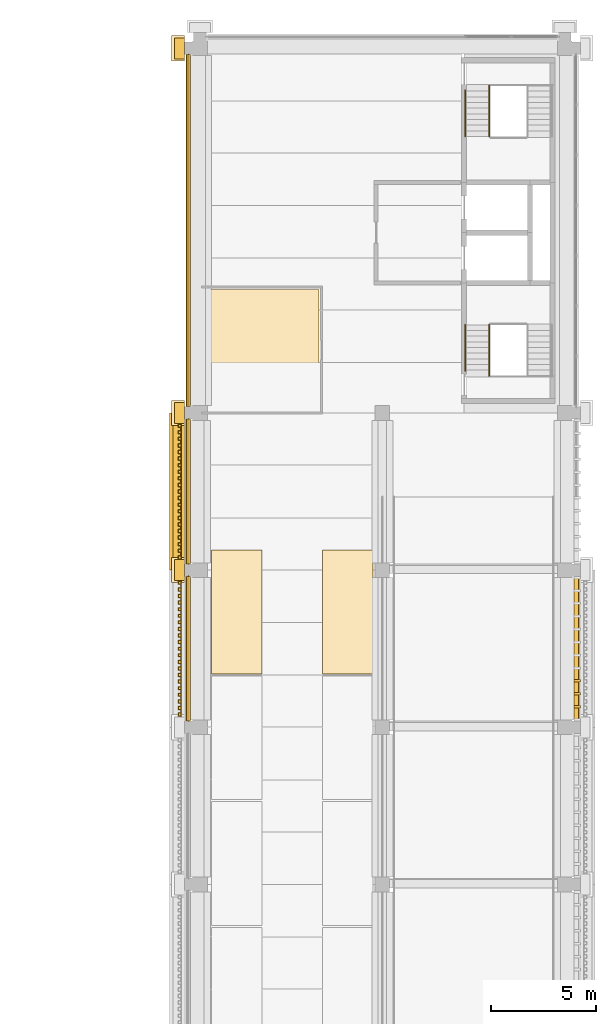
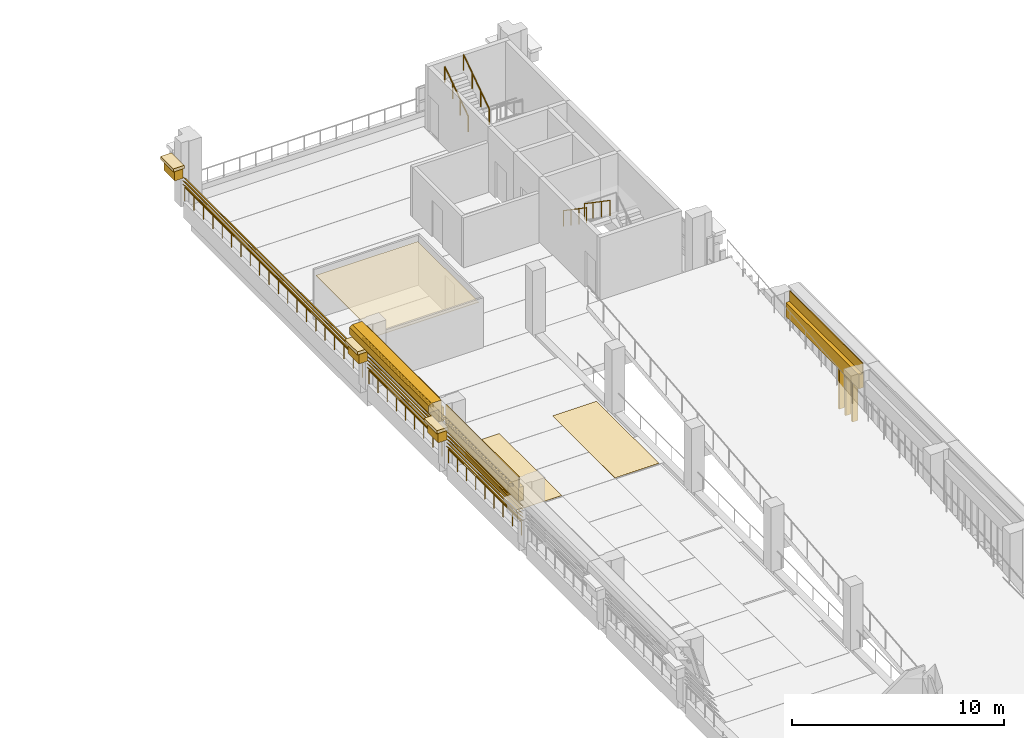
# One storey, part 22 of 25: 18 coverings, 13 shading devices, 7 railings.
"""IFC4 building model written with IfcOpenShell, lengths in metres."""

from ifc_helpers import new_model, si_unit, direction, frame, origin, origin_2d, place, context, subcontext, project, spatial, polyline, circle, outline, extrude, material, layer, layer_set, type_object, element, save


model = new_model("IFC4")

# Units and contexts
model_context = context("Model", 3, precision=1e-05, world=origin(), true_north=direction((0.0, 1.0)))
body_context = subcontext(model_context, "Body", "Model", "MODEL_VIEW")
ifc_project = project(units=[si_unit("LENGTHUNIT", "METRE"), si_unit("AREAUNIT", "SQUARE_METRE"), si_unit("VOLUMEUNIT", "CUBIC_METRE"), si_unit("PLANEANGLEUNIT", "RADIAN"), si_unit("MASSUNIT", "GRAM", prefix="KILO")], contexts=[model_context])

# Site, building, storey
site_placement = place(None, origin())
site = spatial("IfcSite", under=ifc_project, at=site_placement, CompositionType="ELEMENT")
building_placement = place(site_placement, origin())
building = spatial("IfcBuilding", under=site, at=building_placement, Name="Cour d'Honneur Mobility Palace", CompositionType="ELEMENT")
storey_placement = place(building_placement, frame((0.0, 0.0, 30.39990234375)))
storey = spatial("IfcBuildingStorey", under=building, at=storey_placement, Name="L08", CompositionType="ELEMENT", Elevation=30.39990234375)

# Railings
ifc_material_1 = material(Name="Painted steel", Category="steel")
railing_type_1 = type_object("IfcRailingType", Name="Balustrade", PredefinedType="BALUSTRADE", material=ifc_material_1)
railing_1_placement = place(storey_placement, frame((144.35009765625, 62.10009765625, 0.300048828125)))
element("IfcRailing", 1, at=railing_1_placement, inside=storey, type_object=railing_type_1, Name="Balustrade BAL-405", PredefinedType="BALUSTRADE", context=body_context, shape_type="SweptSolid", body=[
    extrude(circle(Radius=0.02392578125, at=origin_2d()), frame((0.0, 0.0, 0.77587890625), z_axis=(0.0, -1.0, 0.0), x_axis=(1.0, 0.0, 0.0)), (0.0, 0.0, 1.0), 16.800048828125),
    extrude(circle(Radius=0.02099609375, at=origin_2d()), origin(), (0.0, 0.0, 1.0), 0.751953125),
    extrude(circle(Radius=0.02099609375, at=origin_2d()), frame((0.0, -0.88427734375, 0.0)), (0.0, 0.0, 1.0), 0.751953125),
    extrude(circle(Radius=0.02099609375, at=origin_2d()), frame((0.0, -1.768310546875, 0.0)), (0.0, 0.0, 1.0), 0.751953125),
    extrude(circle(Radius=0.02099609375, at=origin_2d()), frame((0.0, -2.652587890625, 0.0)), (0.0, 0.0, 1.0), 0.751953125),
    extrude(circle(Radius=0.02099609375, at=origin_2d()), frame((0.0, -3.536865234375, 0.0)), (0.0, 0.0, 1.0), 0.751953125),
    extrude(circle(Radius=0.02099609375, at=origin_2d()), frame((0.0, -4.421142578125, 0.0)), (0.0, 0.0, 1.0), 0.751953125),
    extrude(circle(Radius=0.02099609375, at=origin_2d()), frame((0.0, -5.30517578125, 0.0)), (0.0, 0.0, 1.0), 0.751953125),
    extrude(circle(Radius=0.02099609375, at=origin_2d()), frame((0.0, -6.189453125, 0.0)), (0.0, 0.0, 1.0), 0.751953125),
    extrude(circle(Radius=0.02099609375, at=origin_2d()), frame((0.0, -7.07373046875, 0.0)), (0.0, 0.0, 1.0), 0.751953125),
    extrude(circle(Radius=0.02099609375, at=origin_2d()), frame((0.0, -7.9580078125, 0.0)), (0.0, 0.0, 1.0), 0.751953125),
    extrude(circle(Radius=0.02099609375, at=origin_2d()), frame((0.0, -8.842041015625, 0.0)), (0.0, 0.0, 1.0), 0.751953125),
    extrude(circle(Radius=0.02099609375, at=origin_2d()), frame((0.0, -9.726318359375, 0.0)), (0.0, 0.0, 1.0), 0.751953125),
    extrude(circle(Radius=0.02099609375, at=origin_2d()), frame((0.0, -10.610595703125, 0.0)), (0.0, 0.0, 1.0), 0.751953125),
    extrude(circle(Radius=0.02099609375, at=origin_2d()), frame((0.0, -11.494873046875, 0.0)), (0.0, 0.0, 1.0), 0.751953125),
    extrude(circle(Radius=0.02099609375, at=origin_2d()), frame((0.0, -12.37890625, 0.0)), (0.0, 0.0, 1.0), 0.751953125),
    extrude(circle(Radius=0.02099609375, at=origin_2d()), frame((0.0, -13.26318359375, 0.0)), (0.0, 0.0, 1.0), 0.751953125),
    extrude(circle(Radius=0.02099609375, at=origin_2d()), frame((0.0, -14.1474609375, 0.0)), (0.0, 0.0, 1.0), 0.751953125),
    extrude(circle(Radius=0.02099609375, at=origin_2d()), frame((0.0, -15.03173828125, 0.0)), (0.0, 0.0, 1.0), 0.751953125),
    extrude(circle(Radius=0.02099609375, at=origin_2d()), frame((0.0, -15.915771484375, 0.0)), (0.0, 0.0, 1.0), 0.751953125),
    extrude(circle(Radius=0.02099609375, at=origin_2d()), frame((0.0, -16.800048828125, 0.0)), (0.0, 0.0, 1.0), 0.751953125),
])
for number, where, name in (
    (2, (144.35009765625, 44.699951171875, 0.300048828125), "Balustrade BAL-406"),
    (3, (144.35009765625, 37.199951171875, 0.300048828125), "Balustrade BAL-407"),
):
    element("IfcRailing", number, at=place(storey_placement, frame(where)), inside=storey, type_object=railing_type_1, Name=name, PredefinedType="BALUSTRADE", context=body_context, shape_type="SweptSolid", body=[
        extrude(circle(Radius=0.02392578125, at=origin_2d()), frame((0.0, 0.0, 0.77587890625), z_axis=(0.0, -1.0, 0.0), x_axis=(1.0, 0.0, 0.0)), (0.0, 0.0, 1.0), 6.89990234375),
        extrude(circle(Radius=0.02099609375, at=origin_2d()), origin(), (0.0, 0.0, 1.0), 0.751953125),
        extrude(circle(Radius=0.02099609375, at=origin_2d()), frame((0.0, -0.862548828125, 0.0)), (0.0, 0.0, 1.0), 0.751953125),
        extrude(circle(Radius=0.02099609375, at=origin_2d()), frame((0.0, -1.72509765625, 0.0)), (0.0, 0.0, 1.0), 0.751953125),
        extrude(circle(Radius=0.02099609375, at=origin_2d()), frame((0.0, -2.58740234375, 0.0)), (0.0, 0.0, 1.0), 0.751953125),
        extrude(circle(Radius=0.02099609375, at=origin_2d()), frame((0.0, -3.449951171875, 0.0)), (0.0, 0.0, 1.0), 0.751953125),
        extrude(circle(Radius=0.02099609375, at=origin_2d()), frame((0.0, -4.3125, 0.0)), (0.0, 0.0, 1.0), 0.751953125),
        extrude(circle(Radius=0.02099609375, at=origin_2d()), frame((0.0, -5.1748046875, 0.0)), (0.0, 0.0, 1.0), 0.751953125),
        extrude(circle(Radius=0.02099609375, at=origin_2d()), frame((0.0, -6.037353515625, 0.0)), (0.0, 0.0, 1.0), 0.751953125),
        extrude(circle(Radius=0.02099609375, at=origin_2d()), frame((0.0, -6.89990234375, 0.0)), (0.0, 0.0, 1.0), 0.751953125),
    ])

# Coverings
ifc_material_2 = material(Name="Cast limestone", Category="masonry")
ifc_layer_1 = layer(ifc_material_2, 0.14990234375)
ifc_layer_set_1 = layer_set([ifc_layer_1], Name="Cast limestone")
covering_type_1 = type_object("IfcCoveringType", Name="Dentil course", PredefinedType="CLADDING", material=ifc_layer_set_1)
covering_1_placement = place(storey_placement, frame((0.0, 0.0, 3.150146484375)))
element("IfcCovering", 4, at=covering_1_placement, inside=storey, type_object=covering_type_1, Name="Dentil course DC-138", PredefinedType="CLADDING", context=body_context, shape_type="SweptSolid", body=[
    extrude(outline(polyline([(144.0, 44.550048828125), (144.0, 37.949951171875), (143.969970703125, 37.949951171875), (143.969970703125, 37.949951171875), (143.969970703125, 38.028564453125), (143.85009765625, 38.028564453125), (143.85009765625, 38.185791015625), (143.969970703125, 38.185791015625), (143.969970703125, 38.264404296875), (143.969970703125, 38.264404296875), (143.969970703125, 38.3427734375), (143.85009765625, 38.3427734375), (143.85009765625, 38.5), (143.969970703125, 38.5), (143.969970703125, 38.57861328125), (143.969970703125, 38.57861328125), (143.969970703125, 38.6572265625), (143.85009765625, 38.6572265625), (143.85009765625, 38.814208984375), (143.969970703125, 38.814208984375), (143.969970703125, 38.892822265625), (143.969970703125, 38.892822265625), (143.969970703125, 38.971435546875), (143.85009765625, 38.971435546875), (143.85009765625, 39.128662109375), (143.969970703125, 39.128662109375), (143.969970703125, 39.20703125), (143.969970703125, 39.20703125), (143.969970703125, 39.28564453125), (143.85009765625, 39.28564453125), (143.85009765625, 39.44287109375), (143.969970703125, 39.44287109375), (143.969970703125, 39.521484375), (143.969970703125, 39.521484375), (143.969970703125, 39.60009765625), (143.85009765625, 39.60009765625), (143.85009765625, 39.757080078125), (143.969970703125, 39.757080078125), (143.969970703125, 39.835693359375), (143.969970703125, 39.835693359375), (143.969970703125, 39.914306640625), (143.85009765625, 39.914306640625), (143.85009765625, 40.071533203125), (143.969970703125, 40.071533203125), (143.969970703125, 40.14990234375), (143.969970703125, 40.14990234375), (143.969970703125, 40.228515625), (143.85009765625, 40.228515625), (143.85009765625, 40.3857421875), (143.969970703125, 40.3857421875), (143.969970703125, 40.46435546875), (143.969970703125, 40.46435546875), (143.969970703125, 40.54296875), (143.85009765625, 40.54296875), (143.85009765625, 40.699951171875), (143.969970703125, 40.699951171875), (143.969970703125, 40.778564453125), (143.969970703125, 40.778564453125), (143.969970703125, 40.857177734375), (143.85009765625, 40.857177734375), (143.85009765625, 41.014404296875), (143.969970703125, 41.014404296875), (143.969970703125, 41.0927734375), (143.969970703125, 41.0927734375), (143.969970703125, 41.17138671875), (143.85009765625, 41.17138671875), (143.85009765625, 41.32861328125), (143.969970703125, 41.32861328125), (143.969970703125, 41.4072265625), (143.969970703125, 41.4072265625), (143.969970703125, 41.485595703125), (143.85009765625, 41.485595703125), (143.85009765625, 41.642822265625), (143.969970703125, 41.642822265625), (143.969970703125, 41.721435546875), (143.969970703125, 41.721435546875), (143.969970703125, 41.800048828125), (143.85009765625, 41.800048828125), (143.85009765625, 41.95703125), (143.969970703125, 41.95703125), (143.969970703125, 42.03564453125), (143.969970703125, 42.03564453125), (143.969970703125, 42.1142578125), (143.85009765625, 42.1142578125), (143.85009765625, 42.271484375), (143.969970703125, 42.271484375), (143.969970703125, 42.35009765625), (143.969970703125, 42.35009765625), (143.969970703125, 42.428466796875), (143.85009765625, 42.428466796875), (143.85009765625, 42.585693359375), (143.969970703125, 42.585693359375), (143.969970703125, 42.664306640625), (143.969970703125, 42.664306640625), (143.969970703125, 42.742919921875), (143.85009765625, 42.742919921875), (143.85009765625, 42.89990234375), (143.969970703125, 42.89990234375), (143.969970703125, 42.978515625), (143.969970703125, 42.978515625), (143.969970703125, 43.05712890625), (143.85009765625, 43.05712890625), (143.85009765625, 43.21435546875), (143.969970703125, 43.21435546875), (143.969970703125, 43.29296875), (143.969970703125, 43.29296875), (143.969970703125, 43.371337890625), (143.85009765625, 43.371337890625), (143.85009765625, 43.528564453125), (143.969970703125, 43.528564453125), (143.969970703125, 43.607177734375), (143.969970703125, 43.607177734375), (143.969970703125, 43.685791015625), (143.85009765625, 43.685791015625), (143.85009765625, 43.8427734375), (143.969970703125, 43.8427734375), (143.969970703125, 43.92138671875), (143.969970703125, 43.92138671875), (143.969970703125, 44.0), (143.85009765625, 44.0), (143.85009765625, 44.1572265625), (143.969970703125, 44.1572265625), (143.969970703125, 44.235595703125), (143.969970703125, 44.235595703125), (143.969970703125, 44.314208984375), (143.85009765625, 44.314208984375), (143.85009765625, 44.471435546875), (143.969970703125, 44.471435546875), (143.969970703125, 44.550048828125), (144.0, 44.550048828125)])), origin(), (0.0, 0.0, 1.0), 0.14990234375),
])
covering_2_placement = place(storey_placement, frame((0.0, 0.0, 3.150146484375)))
element("IfcCovering", 5, at=covering_2_placement, inside=storey, type_object=covering_type_1, Name="Dentil course DC-139", PredefinedType="CLADDING", context=body_context, shape_type="SweptSolid", body=[
    extrude(outline(polyline([(144.0, 37.050048828125), (144.0, 30.449951171875), (143.969970703125, 30.449951171875), (143.969970703125, 30.449951171875), (143.969970703125, 30.528564453125), (143.85009765625, 30.528564453125), (143.85009765625, 30.685791015625), (143.969970703125, 30.685791015625), (143.969970703125, 30.764404296875), (143.969970703125, 30.764404296875), (143.969970703125, 30.8427734375), (143.85009765625, 30.8427734375), (143.85009765625, 31.0), (143.969970703125, 31.0), (143.969970703125, 31.07861328125), (143.969970703125, 31.07861328125), (143.969970703125, 31.1572265625), (143.85009765625, 31.1572265625), (143.85009765625, 31.314208984375), (143.969970703125, 31.314208984375), (143.969970703125, 31.392822265625), (143.969970703125, 31.392822265625), (143.969970703125, 31.471435546875), (143.85009765625, 31.471435546875), (143.85009765625, 31.628662109375), (143.969970703125, 31.628662109375), (143.969970703125, 31.70703125), (143.969970703125, 31.70703125), (143.969970703125, 31.78564453125), (143.85009765625, 31.78564453125), (143.85009765625, 31.94287109375), (143.969970703125, 31.94287109375), (143.969970703125, 32.021484375), (143.969970703125, 32.021484375), (143.969970703125, 32.10009765625), (143.85009765625, 32.10009765625), (143.85009765625, 32.257080078125), (143.969970703125, 32.257080078125), (143.969970703125, 32.335693359375), (143.969970703125, 32.335693359375), (143.969970703125, 32.414306640625), (143.85009765625, 32.414306640625), (143.85009765625, 32.571533203125), (143.969970703125, 32.571533203125), (143.969970703125, 32.64990234375), (143.969970703125, 32.64990234375), (143.969970703125, 32.728515625), (143.85009765625, 32.728515625), (143.85009765625, 32.8857421875), (143.969970703125, 32.8857421875), (143.969970703125, 32.96435546875), (143.969970703125, 32.96435546875), (143.969970703125, 33.04296875), (143.85009765625, 33.04296875), (143.85009765625, 33.199951171875), (143.969970703125, 33.199951171875), (143.969970703125, 33.278564453125), (143.969970703125, 33.278564453125), (143.969970703125, 33.357177734375), (143.85009765625, 33.357177734375), (143.85009765625, 33.514404296875), (143.969970703125, 33.514404296875), (143.969970703125, 33.5927734375), (143.969970703125, 33.5927734375), (143.969970703125, 33.67138671875), (143.85009765625, 33.67138671875), (143.85009765625, 33.82861328125), (143.969970703125, 33.82861328125), (143.969970703125, 33.9072265625), (143.969970703125, 33.9072265625), (143.969970703125, 33.985595703125), (143.85009765625, 33.985595703125), (143.85009765625, 34.142822265625), (143.969970703125, 34.142822265625), (143.969970703125, 34.221435546875), (143.969970703125, 34.221435546875), (143.969970703125, 34.300048828125), (143.85009765625, 34.300048828125), (143.85009765625, 34.45703125), (143.969970703125, 34.45703125), (143.969970703125, 34.53564453125), (143.969970703125, 34.53564453125), (143.969970703125, 34.6142578125), (143.85009765625, 34.6142578125), (143.85009765625, 34.771484375), (143.969970703125, 34.771484375), (143.969970703125, 34.85009765625), (143.969970703125, 34.85009765625), (143.969970703125, 34.928466796875), (143.85009765625, 34.928466796875), (143.85009765625, 35.085693359375), (143.969970703125, 35.085693359375), (143.969970703125, 35.164306640625), (143.969970703125, 35.164306640625), (143.969970703125, 35.242919921875), (143.85009765625, 35.242919921875), (143.85009765625, 35.39990234375), (143.969970703125, 35.39990234375), (143.969970703125, 35.478515625), (143.969970703125, 35.478515625), (143.969970703125, 35.55712890625), (143.85009765625, 35.55712890625), (143.85009765625, 35.71435546875), (143.969970703125, 35.71435546875), (143.969970703125, 35.79296875), (143.969970703125, 35.79296875), (143.969970703125, 35.871337890625), (143.85009765625, 35.871337890625), (143.85009765625, 36.028564453125), (143.969970703125, 36.028564453125), (143.969970703125, 36.107177734375), (143.969970703125, 36.107177734375), (143.969970703125, 36.185791015625), (143.85009765625, 36.185791015625), (143.85009765625, 36.3427734375), (143.969970703125, 36.3427734375), (143.969970703125, 36.42138671875), (143.969970703125, 36.42138671875), (143.969970703125, 36.5), (143.85009765625, 36.5), (143.85009765625, 36.6572265625), (143.969970703125, 36.6572265625), (143.969970703125, 36.735595703125), (143.969970703125, 36.735595703125), (143.969970703125, 36.814208984375), (143.85009765625, 36.814208984375), (143.85009765625, 36.971435546875), (143.969970703125, 36.971435546875), (143.969970703125, 37.050048828125), (144.0, 37.050048828125)])), origin(), (0.0, 0.0, 1.0), 0.14990234375),
])
ifc_material_3 = material(Name="Cast limestone", Category="masonry")
ifc_layer_2 = layer(ifc_material_3, 0.699951171875)
ifc_layer_set_2 = layer_set([ifc_layer_2], Name="Cast limestone")
covering_type_2 = type_object("IfcCoveringType", Name="Entablature", PredefinedType="CLADDING", material=ifc_layer_set_2)
covering_3_placement = place(storey_placement, frame((144.14990234375, 45.0, 2.60009765625), z_axis=(0.0, 1.0, 0.0), x_axis=(-1.0, 0.0, 0.0)))
element("IfcCovering", 6, at=covering_3_placement, inside=storey, type_object=covering_type_2, Name="Entablature EN-138", PredefinedType="CLADDING", context=body_context, shape_type="SweptSolid", body=[
    extrude(outline(polyline([(0.0, 0.0), (0.14990234375, 0.0), (0.14990234375, 0.699951171875), (0.699951171875, 0.699951171875), (0.699951171875, 1.10009765625), (0.5498046875, 1.199951171875), (0.0, 1.199951171875), (0.0, 0.0)])), origin(), (0.0, 0.0, -1.0), 7.5),
])

# Railings
ifc_material_4 = material(Name="Stainless steel", Category="steel")
railing_type_2 = type_object("IfcRailingType", Name="Handrail round 50", PredefinedType="HANDRAIL", material=ifc_material_4)
railing_2_placement = place(storey_placement, frame((158.699951171875, 49.205078125, 2.03515625)))
element("IfcRailing", 7, at=railing_2_placement, inside=storey, type_object=railing_type_2, Name="Handrail ST-CE1", PredefinedType="HANDRAIL", context=body_context, shape_type="SweptSolid", body=[
    extrude(circle(Radius=0.02490234375, at=origin_2d()), frame((0.0, 0.0, 0.89501953125), z_axis=(0.0, -0.824945253146, 0.565212640793), x_axis=(1.0, 0.0, 0.0)), (0.0, 0.0, 1.0), 2.94580078125),
    extrude(circle(Radius=0.02099609375, at=origin_2d()), origin(), (0.0, 0.0, 1.0), 0.869873046875),
    extrude(circle(Radius=0.02099609375, at=origin_2d()), frame((0.0, -0.81005859375, 0.554931640625)), (0.0, 0.0, 1.0), 0.869873046875),
    extrude(circle(Radius=0.02099609375, at=origin_2d()), frame((0.0, -1.6201171875, 1.110107421875)), (0.0, 0.0, 1.0), 0.869873046875),
    extrude(circle(Radius=0.02099609375, at=origin_2d()), frame((0.0, -2.43017578125, 1.6650390625)), (0.0, 0.0, 1.0), 0.869873046875),
])
railing_3_placement = place(storey_placement, frame((157.550048828125, 49.205078125, 2.03515625)))
element("IfcRailing", 8, at=railing_3_placement, inside=storey, type_object=railing_type_2, Name="Handrail ST-CE1", PredefinedType="HANDRAIL", context=body_context, shape_type="SweptSolid", body=[
    extrude(circle(Radius=0.02490234375, at=origin_2d()), frame((0.0, 0.0, 0.89501953125), z_axis=(0.0, -0.824957609129, 0.565194606432), x_axis=(1.0, 0.0, 0.0)), (0.0, 0.0, 1.0), 2.6728515625),
    extrude(circle(Radius=0.02099609375, at=origin_2d()), origin(), (0.0, 0.0, 1.0), 0.869873046875),
    extrude(circle(Radius=0.02099609375, at=origin_2d()), frame((0.0, -0.735107421875, 0.503662109375)), (0.0, 0.0, 1.0), 0.869873046875),
    extrude(circle(Radius=0.02099609375, at=origin_2d()), frame((0.0, -1.469970703125, 1.007080078125)), (0.0, 0.0, 1.0), 0.869873046875),
    extrude(circle(Radius=0.02099609375, at=origin_2d()), frame((0.0, -2.205078125, 1.5107421875)), (0.0, 0.0, 1.0), 0.869873046875),
])
railing_4_placement = place(storey_placement, frame((158.699951171875, 58.195068359375, 2.03515625)))
element("IfcRailing", 9, at=railing_4_placement, inside=storey, type_object=railing_type_2, Name="Handrail ST-CE2", PredefinedType="HANDRAIL", context=body_context, shape_type="SweptSolid", body=[
    extrude(circle(Radius=0.02490234375, at=origin_2d()), frame((0.0, 0.0, 0.89501953125), z_axis=(0.0, 0.8249187745, 0.56525128525), x_axis=(-1.0, 0.0, 0.0)), (0.0, 0.0, 1.0), 2.945556640625),
    extrude(circle(Radius=0.02099609375, at=origin_2d()), origin(), (0.0, 0.0, 1.0), 0.869873046875),
    extrude(circle(Radius=0.02099609375, at=origin_2d()), frame((0.0, 0.81005859375, 0.554931640625)), (0.0, 0.0, 1.0), 0.869873046875),
    extrude(circle(Radius=0.02099609375, at=origin_2d()), frame((0.0, 1.619873046875, 1.110107421875)), (0.0, 0.0, 1.0), 0.869873046875),
    extrude(circle(Radius=0.02099609375, at=origin_2d()), frame((0.0, 2.429931640625, 1.6650390625)), (0.0, 0.0, 1.0), 0.869873046875),
])
railing_5_placement = place(storey_placement, frame((157.550048828125, 58.195068359375, 2.03515625)))
element("IfcRailing", 10, at=railing_5_placement, inside=storey, type_object=railing_type_2, Name="Handrail ST-CE2", PredefinedType="HANDRAIL", context=body_context, shape_type="SweptSolid", body=[
    extrude(circle(Radius=0.02490234375, at=origin_2d()), frame((0.0, 0.0, 0.89501953125), z_axis=(0.0, 0.824928428624, 0.565237195917), x_axis=(-1.0, 0.0, 0.0)), (0.0, 0.0, 1.0), 2.6728515625),
    extrude(circle(Radius=0.02099609375, at=origin_2d()), origin(), (0.0, 0.0, 1.0), 0.869873046875),
    extrude(circle(Radius=0.02099609375, at=origin_2d()), frame((0.0, 0.73486328125, 0.503662109375)), (0.0, 0.0, 1.0), 0.869873046875),
    extrude(circle(Radius=0.02099609375, at=origin_2d()), frame((0.0, 1.469970703125, 1.007080078125)), (0.0, 0.0, 1.0), 0.869873046875),
    extrude(circle(Radius=0.02099609375, at=origin_2d()), frame((0.0, 2.204833984375, 1.5107421875)), (0.0, 0.0, 1.0), 0.869873046875),
])

# Coverings
ifc_material_5 = material(Name="Parking marking paint")
ifc_layer_3 = layer(ifc_material_5, 0.0048828125)
ifc_layer_set_3 = layer_set([ifc_layer_3], Name="Parking marking paint")
covering_type_3 = type_object("IfcCoveringType", Name="Parking bay marking", PredefinedType="FLOORING", material=ifc_layer_set_3)
covering_4_placement = place(storey_placement, origin())
element("IfcCovering", 11, at=covering_4_placement, inside=storey, type_object=covering_type_3, Name="Parking bay marking L08 4", PredefinedType="FLOORING", context=body_context, shape_type="SweptSolid", body=[
    extrude(outline(polyline([(153.14990234375, 32.550048828125), (150.75, 32.550048828125), (150.75, 38.449951171875), (153.14990234375, 38.449951171875), (153.14990234375, 32.550048828125)])), origin(), (0.0, 0.0, 1.0), 0.005126953125),
])
covering_5_placement = place(storey_placement, origin())
element("IfcCovering", 12, at=covering_5_placement, inside=storey, type_object=covering_type_3, Name="Parking bay marking L08 8", PredefinedType="FLOORING", context=body_context, shape_type="SweptSolid", body=[
    extrude(outline(polyline([(147.85009765625, 32.550048828125), (145.449951171875, 32.550048828125), (145.449951171875, 38.449951171875), (147.85009765625, 38.449951171875), (147.85009765625, 32.550048828125)])), origin(), (0.0, 0.0, 1.0), 0.005126953125),
])
ifc_material_6 = material(Name="Cast limestone", Category="masonry")
ifc_layer_4 = layer(ifc_material_6, 0.1201171875)
ifc_layer_set_4 = layer_set([ifc_layer_4], Name="Cast limestone")
covering_type_4 = type_object("IfcCoveringType", Name="Pilaster capital", PredefinedType="CLADDING", material=ifc_layer_set_4)
covering_6_placement = place(storey_placement, frame((0.0, 0.0, 1.800048828125)))
element("IfcCovering", 13, at=covering_6_placement, inside=storey, type_object=covering_type_4, Name="Pilaster capital PK-55", PredefinedType="CLADDING", context=body_context, shape_type="SweptSolid", body=[
    extrude(outline(polyline([(144.14990234375, 45.5), (144.14990234375, 44.5), (143.679931640625, 44.5), (143.679931640625, 45.5), (144.14990234375, 45.5)])), origin(), (0.0, 0.0, 1.0), 0.6201171875),
])
covering_7_placement = place(storey_placement, frame((0.0, 0.0, 2.420166015625)))
element("IfcCovering", 14, at=covering_7_placement, inside=storey, type_object=covering_type_4, Name="Pilaster capital PK-56", PredefinedType="CLADDING", context=body_context, shape_type="SweptSolid", body=[
    extrude(outline(polyline([(144.14990234375, 45.60009765625), (144.14990234375, 44.39990234375), (143.550048828125, 44.39990234375), (143.550048828125, 45.60009765625), (144.14990234375, 45.60009765625)])), origin(), (0.0, 0.0, 1.0), 0.179931640625),
])
covering_8_placement = place(storey_placement, frame((0.0, 0.0, 1.800048828125)))
element("IfcCovering", 15, at=covering_8_placement, inside=storey, type_object=covering_type_4, Name="Pilaster capital PK-57", PredefinedType="CLADDING", context=body_context, shape_type="SweptSolid", body=[
    extrude(outline(polyline([(144.14990234375, 38.0), (144.14990234375, 37.0), (143.679931640625, 37.0), (143.679931640625, 38.0), (144.14990234375, 38.0)])), origin(), (0.0, 0.0, 1.0), 0.6201171875),
])
covering_9_placement = place(storey_placement, frame((0.0, 0.0, 2.420166015625)))
element("IfcCovering", 16, at=covering_9_placement, inside=storey, type_object=covering_type_4, Name="Pilaster capital PK-58", PredefinedType="CLADDING", context=body_context, shape_type="SweptSolid", body=[
    extrude(outline(polyline([(144.14990234375, 38.10009765625), (144.14990234375, 36.89990234375), (143.550048828125, 36.89990234375), (143.550048828125, 38.10009765625), (144.14990234375, 38.10009765625)])), origin(), (0.0, 0.0, 1.0), 0.179931640625),
])
covering_10_placement = place(storey_placement, frame((0.0, 0.0, 1.800048828125)))
element("IfcCovering", 17, at=covering_10_placement, inside=storey, type_object=covering_type_4, Name="Pilaster capital PK-121", PredefinedType="CLADDING", context=body_context, shape_type="SweptSolid", body=[
    extrude(outline(polyline([(144.14990234375, 62.89990234375), (144.14990234375, 61.89990234375), (143.679931640625, 61.89990234375), (143.679931640625, 62.89990234375), (144.14990234375, 62.89990234375)])), origin(), (0.0, 0.0, 1.0), 0.6201171875),
])
covering_11_placement = place(storey_placement, frame((0.0, 0.0, 2.420166015625)))
element("IfcCovering", 18, at=covering_11_placement, inside=storey, type_object=covering_type_4, Name="Pilaster capital PK-122", PredefinedType="CLADDING", context=body_context, shape_type="SweptSolid", body=[
    extrude(outline(polyline([(144.14990234375, 63.0), (144.14990234375, 61.800048828125), (143.550048828125, 61.800048828125), (143.550048828125, 63.0), (144.14990234375, 63.0)])), origin(), (0.0, 0.0, 1.0), 0.179931640625),
])
ifc_material_7 = material(Name="Cast limestone", Category="masonry")
ifc_layer_5 = layer(ifc_material_7, 0.1201171875)
ifc_layer_set_5 = layer_set([ifc_layer_5], Name="Cast limestone")
covering_type_5 = type_object("IfcCoveringType", Name="Ramp screen fin", PredefinedType="CLADDING", material=ifc_layer_set_5)
covering_12_placement = place(storey_placement, origin())
element("IfcCovering", 19, at=covering_12_placement, inside=storey, type_object=covering_type_5, Name="Ramp screen fin E5.4 L08 2", PredefinedType="CLADDING", context=body_context, shape_type="SweptSolid", body=[
    extrude(outline(polyline([(162.75, 30.916259765625), (162.75, 31.036376953125), (163.050048828125, 31.036376953125), (163.050048828125, 30.916259765625), (162.75, 30.916259765625)])), origin(), (0.0, 0.0, 1.0), 2.300048828125),
])
covering_13_placement = place(storey_placement, origin())
element("IfcCovering", 20, at=covering_13_placement, inside=storey, type_object=covering_type_5, Name="Ramp screen fin E5.4 L08 3", PredefinedType="CLADDING", context=body_context, shape_type="SweptSolid", body=[
    extrude(outline(polyline([(162.75, 31.53271484375), (162.75, 31.65283203125), (163.050048828125, 31.65283203125), (163.050048828125, 31.53271484375), (162.75, 31.53271484375)])), origin(), (0.0, 0.0, 1.0), 2.300048828125),
])
covering_14_placement = place(storey_placement, origin())
element("IfcCovering", 21, at=covering_14_placement, inside=storey, type_object=covering_type_5, Name="Ramp screen fin E5.4 L08 4", PredefinedType="CLADDING", context=body_context, shape_type="SweptSolid", body=[
    extrude(outline(polyline([(162.75, 32.149169921875), (162.75, 32.26904296875), (163.050048828125, 32.26904296875), (163.050048828125, 32.149169921875), (162.75, 32.149169921875)])), origin(), (0.0, 0.0, 1.0), 2.300048828125),
])
ifc_material_8 = material(Name="Cast limestone", Category="masonry")
ifc_layer_6 = layer(ifc_material_8, 0.25)
ifc_layer_set_6 = layer_set([ifc_layer_6], Name="Cast limestone")
covering_type_6 = type_object("IfcCoveringType", Name="Spandrel cladding", PredefinedType="CLADDING", material=ifc_layer_set_6)
for number, where, z_axis, x_axis, name in (
    (22, (162.75, 30.300048828125, 2.300048828125), (0.0, -1.0, 0.0), (1.0, 0.0, 0.0), "Spandrel cladding SK-404"),
    (23, (144.449951171875, 44.699951171875, 2.300048828125), (0.0, 1.0, 0.0), (-1.0, 0.0, 0.0), "Spandrel cladding SK-405"),
    (24, (144.449951171875, 37.199951171875, 2.300048828125), (0.0, 1.0, 0.0), (-1.0, 0.0, 0.0), "Spandrel cladding SK-406"),
):
    element("IfcCovering", number, at=place(storey_placement, frame(where, z_axis=z_axis, x_axis=x_axis)), inside=storey, type_object=covering_type_6, Name=name, PredefinedType="CLADDING", context=body_context, shape_type="SweptSolid", body=[
        extrude(outline(polyline([(0.0, 0.0), (0.25, 0.0), (0.25, 1.400146484375), (0.199951171875, 1.400146484375), (0.199951171875, 0.800048828125), (0.0, 0.800048828125), (0.0, 0.0)])), origin(), (0.0, 0.0, -1.0), 6.89990234375),
    ])
ifc_material_9 = material(Name="Suspended ceiling")
ifc_layer_7 = layer(ifc_material_9, 0.030029296875)
ifc_layer_set_7 = layer_set([ifc_layer_7], Name="Suspended ceiling")
covering_type_7 = type_object("IfcCoveringType", Name="Suspended ceiling", PredefinedType="CEILING", material=ifc_layer_set_7)
covering_15_placement = place(storey_placement, frame((0.0, 0.0, 2.550048828125)))
element("IfcCovering", 25, at=covering_15_placement, inside=storey, type_object=covering_type_7, Name="Ceiling Attendant Room", PredefinedType="CEILING", context=body_context, shape_type="SweptSolid", body=[
    extrude(outline(polyline([(150.580078125, 45.1201171875), (145.02001953125, 45.1201171875), (145.02001953125, 50.8798828125), (150.580078125, 50.8798828125), (150.580078125, 45.1201171875)])), origin(), (0.0, 0.0, 1.0), 0.030029296875),
])

# Shading devices
ifc_material_10 = material(Name="Terracotta", Category="masonry")
ifc_layer_8 = layer(ifc_material_10, 0.02490234375)
ifc_layer_set_8 = layer_set([ifc_layer_8], Name="Terracotta")
shading_device_type = type_object("IfcShadingDeviceType", Name="Terracotta louvre blade", PredefinedType="JALOUSIE", material=ifc_layer_set_8)
for number, where, z_axis, x_axis, name in (
    (26, (144.4560546875, 44.699951171875, 1.10009765625), (0.707106781187, 0.0, 0.707106781187), (0.0, -1.0, 0.0), "Louvre blade LV-1 W7.1 L08 1"),
    (27, (144.4560546875, 44.699951171875, 1.312255859375), (0.707106781187, 0.0, 0.707106781187), (0.0, -1.0, 0.0), "Louvre blade LV-1 W7.1 L08 2"),
    (28, (144.4560546875, 44.699951171875, 1.5244140625), (0.707106781187, 0.0, 0.707106781187), (0.0, -1.0, 0.0), "Louvre blade LV-1 W7.1 L08 3"),
    (29, (144.4560546875, 44.699951171875, 1.736572265625), (0.707106781187, 0.0, 0.707106781187), (0.0, -1.0, 0.0), "Louvre blade LV-1 W7.1 L08 4"),
):
    element("IfcShadingDevice", number, at=place(storey_placement, frame(where, z_axis=z_axis, x_axis=x_axis)), inside=storey, type_object=shading_device_type, Name=name, PredefinedType="JALOUSIE", context=body_context, shape_type="SweptSolid", body=[
        extrude(outline(polyline([(0.0, 0.0), (6.89990234375, 0.0), (6.89990234375, -0.300037008228081), (0.0, -0.300037008228081), (0.0, 0.0)])), origin(), (0.0, 0.0, -1.0), 0.02490234375),
    ])
shading_device_1_placement = place(storey_placement, frame((144.4560546875, 44.699951171875, 1.94873046875), z_axis=(0.706699578995, 0.0, 0.707513749017), x_axis=(0.0, -1.0, 0.0)))
element("IfcShadingDevice", 30, at=shading_device_1_placement, inside=storey, type_object=shading_device_type, Name="Louvre blade LV-1 W7.1 L08 5", PredefinedType="JALOUSIE", context=body_context, shape_type="SweptSolid", body=[
    extrude(outline(polyline([(0.0, 0.0), (6.89990234375, 0.0), (6.89990234375, -0.29986442442957895), (0.0, -0.29986442442957895), (0.0, 0.0)])), origin(), (0.0, 0.0, -1.0), 0.02490234375),
])
for number, where, z_axis, x_axis, name in (
    (31, (144.4560546875, 37.199951171875, 1.10009765625), (0.707106781187, 0.0, 0.707106781187), (0.0, -1.0, 0.0), "Louvre blade LV-1 W7.2 L08 1"),
    (32, (144.4560546875, 37.199951171875, 1.312255859375), (0.707106781187, 0.0, 0.707106781187), (0.0, -1.0, 0.0), "Louvre blade LV-1 W7.2 L08 2"),
    (33, (144.4560546875, 37.199951171875, 1.5244140625), (0.707106781187, 0.0, 0.707106781187), (0.0, -1.0, 0.0), "Louvre blade LV-1 W7.2 L08 3"),
    (34, (144.4560546875, 37.199951171875, 1.736572265625), (0.707106781187, 0.0, 0.707106781187), (0.0, -1.0, 0.0), "Louvre blade LV-1 W7.2 L08 4"),
):
    element("IfcShadingDevice", number, at=place(storey_placement, frame(where, z_axis=z_axis, x_axis=x_axis)), inside=storey, type_object=shading_device_type, Name=name, PredefinedType="JALOUSIE", context=body_context, shape_type="SweptSolid", body=[
        extrude(outline(polyline([(0.0, 0.0), (6.89990234375, 0.0), (6.89990234375, -0.300037008228081), (0.0, -0.300037008228081), (0.0, 0.0)])), origin(), (0.0, 0.0, -1.0), 0.02490234375),
    ])
shading_device_2_placement = place(storey_placement, frame((144.4560546875, 37.199951171875, 1.94873046875), z_axis=(0.706699578995, 0.0, 0.707513749017), x_axis=(0.0, -1.0, 0.0)))
element("IfcShadingDevice", 35, at=shading_device_2_placement, inside=storey, type_object=shading_device_type, Name="Louvre blade LV-1 W7.2 L08 5", PredefinedType="JALOUSIE", context=body_context, shape_type="SweptSolid", body=[
    extrude(outline(polyline([(0.0, 0.0), (6.89990234375, 0.0), (6.89990234375, -0.29986442442957895), (0.0, -0.29986442442957895), (0.0, 0.0)])), origin(), (0.0, 0.0, -1.0), 0.02490234375),
])
for number, where, z_axis, x_axis, name in (
    (36, (144.4560546875, 62.10009765625, 1.10009765625), (0.707106781187, 0.0, 0.707106781187), (0.0, -1.0, 0.0), "Louvre blade LV-1 W7.0 L08 1"),
    (37, (144.4560546875, 62.10009765625, 1.312255859375), (0.707106781187, 0.0, 0.707106781187), (0.0, -1.0, 0.0), "Louvre blade LV-1 W7.0 L08 2"),
    (38, (144.4560546875, 62.10009765625, 1.5244140625), (0.707106781187, 0.0, 0.707106781187), (0.0, -1.0, 0.0), "Louvre blade LV-1 W7.0 L08 3"),
):
    element("IfcShadingDevice", number, at=place(storey_placement, frame(where, z_axis=z_axis, x_axis=x_axis)), inside=storey, type_object=shading_device_type, Name=name, PredefinedType="JALOUSIE", context=body_context, shape_type="SweptSolid", body=[
        extrude(outline(polyline([(0.0, 0.0), (16.800048828125, 0.0), (16.800048828125, -0.30003700822808094), (0.0, -0.30003700822808094), (0.0, 0.0)])), origin(), (0.0, 0.0, -1.0), 0.02490234375),
    ])

save(model, "model.ifc")
